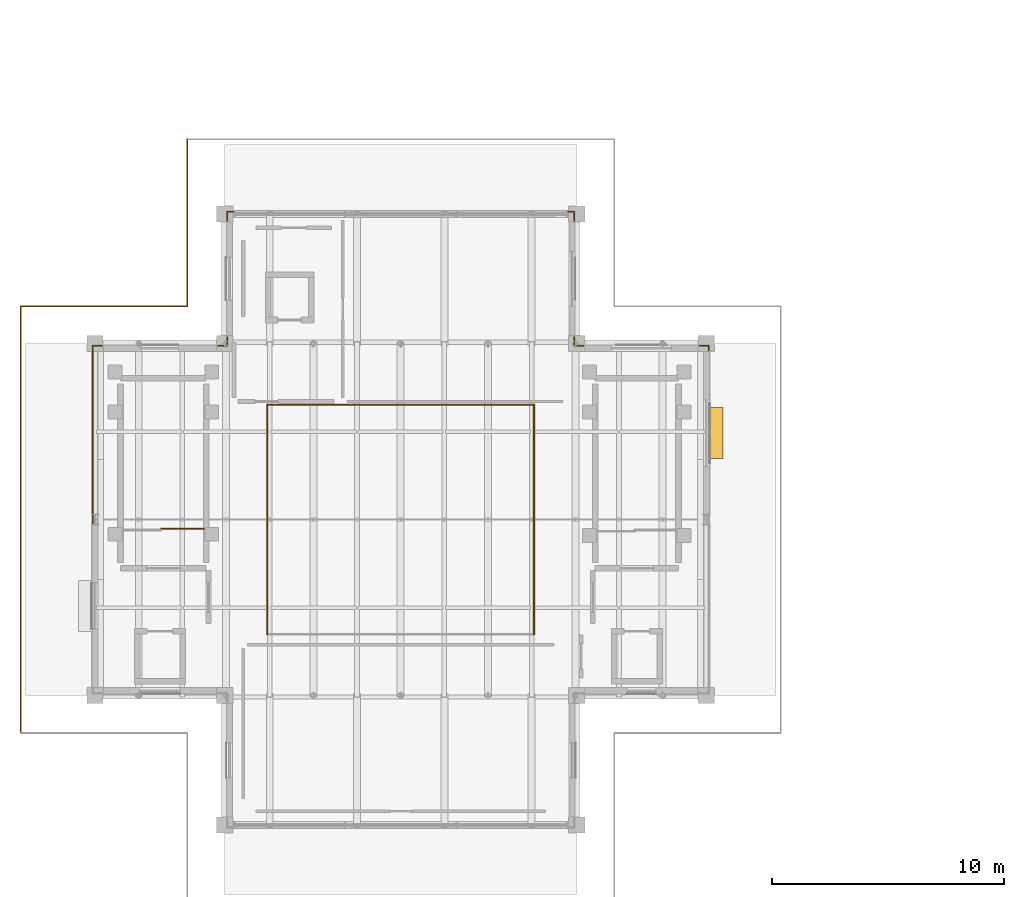
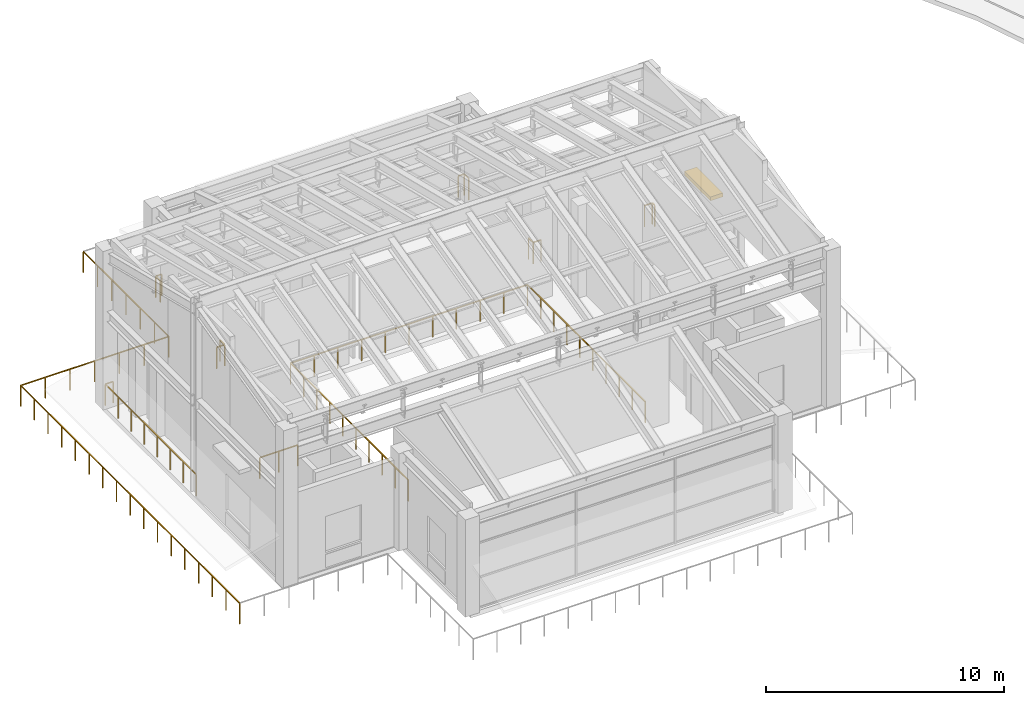
# One storey, part 10 of 11: 19 railings, 1 shading device.
"""IFC4 building model written with IfcOpenShell, lengths in metres."""

import ifcopenshell
import ifcopenshell.guid

model = None  # the IFC model being written
_history = None  # IfcOwnerHistory: only IFC2X3 demands one
_inside = {}  # id of a spatial element -> (the spatial element, [elements in it])
_under = {}  # id of a project, library or spatial element -> (it, [spatial elements below it])
_declared = {}  # id of a project -> (the project, [libraries it declares])
_typed = {}  # id of a type object -> (the type object, [elements of that type])
_made_of = {}  # id of a material, layer set ... -> (it, [elements and type objects made of it])


def new_model(schema):
    """Start an empty IFC model of exactly this schema.

    Asked for "IFC4X3", IfcOpenShell would pick the latest addendum, in which some entities
    have other attributes; the version numbers below select the first issue.
    IFC2X3 requires an IfcOwnerHistory on every rooted entity: one is made here for all.
    """
    global model, _history
    if schema == "IFC4X3":
        model = ifcopenshell.file(schema_version=(4, 3, 0, 0))
    else:
        model = ifcopenshell.file(schema=schema)
    _inside.clear()
    _under.clear()
    _declared.clear()
    _typed.clear()
    _made_of.clear()
    _history = None
    if model.schema == "IFC2X3":
        org = make("IfcOrganization", Name="unknown")
        user = make(
            "IfcPersonAndOrganization",
            ThePerson=make("IfcPerson", FamilyName="unknown"),
            TheOrganization=org,
        )
        app = make(
            "IfcApplication",
            ApplicationDeveloper=org,
            Version="unknown",
            ApplicationFullName="unknown",
            ApplicationIdentifier="unknown",
        )
        _history = make(
            "IfcOwnerHistory",
            OwningUser=user,
            OwningApplication=app,
            ChangeAction="ADDED",
            CreationDate=0,
        )
    return model


def make(cls, **values):
    """One entity of the class cls with the attributes given. An attribute that is None is left unset."""
    return model.create_entity(
        cls, **{name: value for name, value in values.items() if value is not None}
    )


def rooted(cls, **values):
    """An entity with a GlobalId (a new one), such as an element, a storey or a relation."""
    return make(cls, GlobalId=ifcopenshell.guid.new(), OwnerHistory=_history, **values)


def si_unit(unit_type, name, prefix=None):
    """IfcSIUnit, for example si_unit("LENGTHUNIT", "METRE", prefix="MILLI")."""
    return make("IfcSIUnit", UnitType=unit_type, Prefix=prefix, Name=name)


def assignment(units):
    """IfcUnitAssignment: the units of a project."""
    return None if units is None else make("IfcUnitAssignment", Units=units)


def point(xyz):
    """IfcCartesianPoint."""
    return None if xyz is None else make("IfcCartesianPoint", Coordinates=xyz)


def direction(xyz):
    """IfcDirection."""
    return None if xyz is None else make("IfcDirection", DirectionRatios=xyz)


def frame(location, z_axis=None, x_axis=None):
    """IfcAxis2Placement3D, a coordinate frame: its origin and axes. An axis left out is left unset."""
    return make(
        "IfcAxis2Placement3D",
        Location=point(location),
        Axis=direction(z_axis),
        RefDirection=direction(x_axis),
    )


def frame_2d(location, x_axis=None):
    """IfcAxis2Placement2D, a coordinate frame in the plane: its origin and x axis."""
    return make(
        "IfcAxis2Placement2D", Location=point(location), RefDirection=direction(x_axis)
    )


def origin():
    """The frame at (0, 0, 0) with its axes left unset."""
    return frame((0.0, 0.0, 0.0))


def origin_2d():
    """The frame at (0, 0) in the plane with its x axis left unset."""
    return frame_2d((0.0, 0.0))


def place(relative_to, where):
    """IfcLocalPlacement: puts the frame where relative to a parent placement (None: the world)."""
    return make(
        "IfcLocalPlacement", PlacementRelTo=relative_to, RelativePlacement=where
    )


def context(
    kind, dimensions, precision=None, world=None, true_north=None, identifier=None
):
    """IfcGeometricRepresentationContext, for example the 3D "Model" context."""
    return make(
        "IfcGeometricRepresentationContext",
        ContextIdentifier=identifier,
        ContextType=kind,
        CoordinateSpaceDimension=dimensions,
        Precision=precision,
        WorldCoordinateSystem=world,
        TrueNorth=true_north,
    )


def subcontext(parent, identifier, kind, view, scale=None):
    """IfcGeometricRepresentationSubContext, for example "Body" below "Model"."""
    return make(
        "IfcGeometricRepresentationSubContext",
        ContextIdentifier=identifier,
        ContextType=kind,
        ParentContext=parent,
        TargetScale=scale,
        TargetView=view,
    )


def project(units=None, contexts=None):
    """IfcProject with its units and contexts."""
    return rooted(
        "IfcProject",
        Name="project",
        RepresentationContexts=contexts,
        UnitsInContext=assignment(units),
    )


def spatial(cls, under=None, at=None, **own):
    """A site, building, storey or space (cls), placed at a placement, below another one or the project."""
    s = rooted(cls, ObjectPlacement=at, **own)
    if under is not None:
        _under.setdefault(under.id(), (under, []))[1].append(s)
    return s


def profile(cls, at=None, kind="AREA", **sizes):
    """A parametric profile (cls). Its sizes go by their IFC names, for example OverallWidth=200.0."""
    return make(cls, ProfileType=kind, Position=at, **sizes)


def rectangle(**sizes):
    """IfcRectangleProfileDef."""
    return profile("IfcRectangleProfileDef", **sizes)


def extrude(swept, where, along, depth):
    """IfcExtrudedAreaSolid: the profile swept, set in the frame where, extruded along a direction by depth."""
    return make(
        "IfcExtrudedAreaSolid",
        SweptArea=swept,
        Position=where,
        ExtrudedDirection=direction(along),
        Depth=depth,
    )


def shape(context_of_items, identifier, shape_type, items):
    """IfcShapeRepresentation: the items that make up one representation, for example the "Body"."""
    return make(
        "IfcShapeRepresentation",
        ContextOfItems=context_of_items,
        RepresentationIdentifier=identifier,
        RepresentationType=shape_type,
        Items=items,
    )


def material(Name=None, Category=None):
    """IfcMaterial."""
    return make("IfcMaterial", Name=Name, Category=Category)


def layer(
    of_material, thickness, ventilated=None, Name=None, Category=None, Priority=None
):
    """IfcMaterialLayer: one layer of a wall or slab, of a material (None: an air gap)."""
    return make(
        "IfcMaterialLayer",
        Material=of_material,
        LayerThickness=thickness,
        IsVentilated=ventilated,
        Name=Name,
        Category=Category,
        Priority=Priority,
    )


def layer_set(layers, Name=None):
    """IfcMaterialLayerSet."""
    return make("IfcMaterialLayerSet", MaterialLayers=layers, LayerSetName=Name)


def made_of(thing, what):
    """Note that an element or type object is made of a material, layer set ...; save() writes the relation."""
    if what is not None:
        _made_of.setdefault(what.id(), (what, []))[1].append(thing)
    return thing


def type_object(cls, material=None, **own):
    """A type object (cls), such as IfcWallType, which elements share."""
    return made_of(rooted(cls, **own), material)


def element(
    cls,
    number,
    at=None,
    inside=None,
    cuts=None,
    type_object=None,
    material=None,
    context=None,
    identifier="Body",
    shape_type=None,
    held_by="IfcProductDefinitionShape",
    body=None,
    shapes=None,
    **own,
):
    """One element of the class cls, such as IfcWall. Its Tag is "e" and its number.

    at: its placement. inside: the storey or other place that contains it. cuts: it is an
    opening in that element (IfcRelVoidsElement). A single representation is given by context,
    identifier, shape_type and body (its items); several are given by shapes. held_by: the class
    of the entity that holds the representations. save() writes the other relations.
    """
    e = rooted(cls, Tag="e%d" % number, ObjectPlacement=at, **own)
    if body is not None:
        shapes = [shape(context, identifier, shape_type, body)]
    if shapes is not None:
        e.Representation = make(held_by, Representations=shapes)
    if inside is not None:
        _inside.setdefault(inside.id(), (inside, []))[1].append(e)
    if cuts is not None:
        rooted(
            "IfcRelVoidsElement", RelatingBuildingElement=cuts, RelatedOpeningElement=e
        )
    if type_object is not None:
        _typed.setdefault(type_object.id(), (type_object, []))[1].append(e)
    return made_of(e, material)


def aggregate(whole, parts):
    """IfcRelAggregates: a whole, such as a stair, and the parts it consists of."""
    return rooted("IfcRelAggregates", RelatingObject=whole, RelatedObjects=parts)


def save(model, path):
    """Write the relations noted so far, then the file.

    IfcRelAggregates (storeys below a building ...), IfcRelContainedInSpatialStructure (elements
    in a storey), IfcRelDefinesByType, IfcRelAssociatesMaterial and IfcRelDeclares: one each for
    every whole, place, type object, material and project.
    """
    for whole, parts in _under.values():
        aggregate(whole, parts)
    for where, things in _inside.values():
        rooted(
            "IfcRelContainedInSpatialStructure",
            RelatedElements=things,
            RelatingStructure=where,
        )
    for kind, things in _typed.values():
        rooted("IfcRelDefinesByType", RelatedObjects=things, RelatingType=kind)
    for what, things in _made_of.values():
        rooted("IfcRelAssociatesMaterial", RelatedObjects=things, RelatingMaterial=what)
    for by, libraries in _declared.values():
        rooted("IfcRelDeclares", RelatingContext=by, RelatedDefinitions=libraries)
    model.write(path)


model = new_model("IFC4")

# Units and contexts
model_context = context("Model", 3, precision=1e-05, world=origin(), true_north=direction((0.0, 1.0)))
body_context = subcontext(model_context, "Body", "Model", "MODEL_VIEW")
ifc_project = project(units=[si_unit("LENGTHUNIT", "METRE"), si_unit("AREAUNIT", "SQUARE_METRE"), si_unit("VOLUMEUNIT", "CUBIC_METRE"), si_unit("PLANEANGLEUNIT", "RADIAN"), si_unit("MASSUNIT", "GRAM", prefix="KILO")], contexts=[model_context])

# Site, building, storey
site_placement = place(None, origin())
site = spatial("IfcSite", under=ifc_project, at=site_placement, CompositionType="ELEMENT")
building_placement = place(site_placement, origin())
building = spatial("IfcBuilding", under=site, at=building_placement, Name="Saryqyr Civic Hall", CompositionType="ELEMENT")
storey_placement = place(building_placement, frame((0.0, 0.0, 29.39990234375)))
storey = spatial("IfcBuildingStorey", under=building, at=storey_placement, Name="L07", CompositionType="ELEMENT", Elevation=29.39990234375)

# Railings
ifc_material_1 = material(Name="Stainless steel and laminated glass", Category="steel")
ifc_layer_1 = layer(ifc_material_1, 0.06005859375, Name="Stainless steel and laminated glass")
ifc_layer_set_1 = layer_set([ifc_layer_1], Name="Stainless steel and laminated glass")
railing_type_1 = type_object("IfcRailingType", Name="ENV-RLG-BAL-1100", PredefinedType="BALUSTRADE", material=ifc_layer_set_1)
railing_1_placement = place(storey_placement, frame((47.780029296875, 100.419921875, 0.0)))
element("IfcRailing", 1, at=railing_1_placement, inside=storey, type_object=railing_type_1, Name="Perimeter safety balustrade V1-STEPG-L07-G08", PredefinedType="BALUSTRADE", context=body_context, shape_type="SweptSolid", body=[
    extrude(rectangle(XDim=0.048095703125, YDim=0.048095703125, at=origin_2d()), frame((0.0, 0.0, 1.076171875), z_axis=(0.0, -1.0, 0.0), x_axis=(1.0, 0.0, 0.0)), (0.0, 0.0, 1.0), 7.199951171875),
    extrude(rectangle(XDim=0.0419921875, YDim=0.0419921875, at=origin_2d()), origin(), (0.0, 0.0, 1.0), 1.052001953125),
    extrude(rectangle(XDim=0.0419921875, YDim=0.0419921875, at=origin_2d()), frame((0.0, -1.199951171875, 0.0)), (0.0, 0.0, 1.0), 1.052001953125),
    extrude(rectangle(XDim=0.0419921875, YDim=0.0419921875, at=origin_2d()), frame((0.0, -2.39990234375, 0.0)), (0.0, 0.0, 1.0), 1.052001953125),
    extrude(rectangle(XDim=0.0419921875, YDim=0.0419921875, at=origin_2d()), frame((0.0, -3.60009765625, 0.0)), (0.0, 0.0, 1.0), 1.052001953125),
    extrude(rectangle(XDim=0.0419921875, YDim=0.0419921875, at=origin_2d()), frame((0.0, -4.800048828125, 0.0)), (0.0, 0.0, 1.0), 1.052001953125),
    extrude(rectangle(XDim=0.0419921875, YDim=0.0419921875, at=origin_2d()), frame((0.0, -6.0, 0.0)), (0.0, 0.0, 1.0), 1.052001953125),
    extrude(rectangle(XDim=0.0419921875, YDim=0.0419921875, at=origin_2d()), frame((0.0, -7.199951171875, 0.0)), (0.0, 0.0, 1.0), 1.052001953125),
])
railing_2_placement = place(storey_placement, frame((47.780029296875, 93.219970703125, 0.0)))
element("IfcRailing", 2, at=railing_2_placement, inside=storey, type_object=railing_type_1, Name="Perimeter safety balustrade V1-STEPG-L07-G09", PredefinedType="BALUSTRADE", context=body_context, shape_type="SweptSolid", body=[
    extrude(rectangle(XDim=0.048095703125, YDim=0.048095703125, at=origin_2d()), frame((0.0, 0.0, 1.076171875), z_axis=(-1.0, 0.0, 0.0), x_axis=(0.0, -1.0, 0.0)), (0.0, 0.0, 1.0), 7.199951171875),
    extrude(rectangle(XDim=0.0419921875, YDim=0.0419921875, at=origin_2d()), origin(), (0.0, 0.0, 1.0), 1.052001953125),
    extrude(rectangle(XDim=0.0419921875, YDim=0.0419921875, at=origin_2d()), frame((-1.199951171875, 0.0, 0.0)), (0.0, 0.0, 1.0), 1.052001953125),
    extrude(rectangle(XDim=0.0419921875, YDim=0.0419921875, at=origin_2d()), frame((-2.39990234375, 0.0, 0.0)), (0.0, 0.0, 1.0), 1.052001953125),
    extrude(rectangle(XDim=0.0419921875, YDim=0.0419921875, at=origin_2d()), frame((-3.60009765625, 0.0, 0.0)), (0.0, 0.0, 1.0), 1.052001953125),
    extrude(rectangle(XDim=0.0419921875, YDim=0.0419921875, at=origin_2d()), frame((-4.800048828125, 0.0, 0.0)), (0.0, 0.0, 1.0), 1.052001953125),
    extrude(rectangle(XDim=0.0419921875, YDim=0.0419921875, at=origin_2d()), frame((-6.0, 0.0, 0.0)), (0.0, 0.0, 1.0), 1.052001953125),
    extrude(rectangle(XDim=0.0419921875, YDim=0.0419921875, at=origin_2d()), frame((-7.199951171875, 0.0, 0.0)), (0.0, 0.0, 1.0), 1.052001953125),
])
railing_3_placement = place(storey_placement, frame((40.580078125, 93.219970703125, 0.0)))
element("IfcRailing", 3, at=railing_3_placement, inside=storey, type_object=railing_type_1, Name="Perimeter safety balustrade V1-STEPG-L07-G10", PredefinedType="BALUSTRADE", context=body_context, shape_type="SweptSolid", body=[
    extrude(rectangle(XDim=0.048095703125, YDim=0.048095703125, at=origin_2d()), frame((0.0, 0.0, 1.076171875), z_axis=(0.0, -1.0, 0.0), x_axis=(1.0, 0.0, 0.0)), (0.0, 0.0, 1.0), 18.43994140625),
    extrude(rectangle(XDim=0.0419921875, YDim=0.0419921875, at=origin_2d()), origin(), (0.0, 0.0, 1.0), 1.052001953125),
    extrude(rectangle(XDim=0.0419921875, YDim=0.0419921875, at=origin_2d()), frame((0.0, -1.152587890625, 0.0)), (0.0, 0.0, 1.0), 1.052001953125),
    extrude(rectangle(XDim=0.0419921875, YDim=0.0419921875, at=origin_2d()), frame((0.0, -2.304931640625, 0.0)), (0.0, 0.0, 1.0), 1.052001953125),
    extrude(rectangle(XDim=0.0419921875, YDim=0.0419921875, at=origin_2d()), frame((0.0, -3.45751953125, 0.0)), (0.0, 0.0, 1.0), 1.052001953125),
    extrude(rectangle(XDim=0.0419921875, YDim=0.0419921875, at=origin_2d()), frame((0.0, -4.60986328125, 0.0)), (0.0, 0.0, 1.0), 1.052001953125),
    extrude(rectangle(XDim=0.0419921875, YDim=0.0419921875, at=origin_2d()), frame((0.0, -5.762451171875, 0.0)), (0.0, 0.0, 1.0), 1.052001953125),
    extrude(rectangle(XDim=0.0419921875, YDim=0.0419921875, at=origin_2d()), frame((0.0, -6.9150390625, 0.0)), (0.0, 0.0, 1.0), 1.052001953125),
    extrude(rectangle(XDim=0.0419921875, YDim=0.0419921875, at=origin_2d()), frame((0.0, -8.0673828125, 0.0)), (0.0, 0.0, 1.0), 1.052001953125),
    extrude(rectangle(XDim=0.0419921875, YDim=0.0419921875, at=origin_2d()), frame((0.0, -9.219970703125, 0.0)), (0.0, 0.0, 1.0), 1.052001953125),
    extrude(rectangle(XDim=0.0419921875, YDim=0.0419921875, at=origin_2d()), frame((0.0, -10.37255859375, 0.0)), (0.0, 0.0, 1.0), 1.052001953125),
    extrude(rectangle(XDim=0.0419921875, YDim=0.0419921875, at=origin_2d()), frame((0.0, -11.52490234375, 0.0)), (0.0, 0.0, 1.0), 1.052001953125),
    extrude(rectangle(XDim=0.0419921875, YDim=0.0419921875, at=origin_2d()), frame((0.0, -12.677490234375, 0.0)), (0.0, 0.0, 1.0), 1.052001953125),
    extrude(rectangle(XDim=0.0419921875, YDim=0.0419921875, at=origin_2d()), frame((0.0, -13.830078125, 0.0)), (0.0, 0.0, 1.0), 1.052001953125),
    extrude(rectangle(XDim=0.0419921875, YDim=0.0419921875, at=origin_2d()), frame((0.0, -14.982421875, 0.0)), (0.0, 0.0, 1.0), 1.052001953125),
    extrude(rectangle(XDim=0.0419921875, YDim=0.0419921875, at=origin_2d()), frame((0.0, -16.135009765625, 0.0)), (0.0, 0.0, 1.0), 1.052001953125),
    extrude(rectangle(XDim=0.0419921875, YDim=0.0419921875, at=origin_2d()), frame((0.0, -17.287353515625, 0.0)), (0.0, 0.0, 1.0), 1.052001953125),
    extrude(rectangle(XDim=0.0419921875, YDim=0.0419921875, at=origin_2d()), frame((0.0, -18.43994140625, 0.0)), (0.0, 0.0, 1.0), 1.052001953125),
])

# Shading device
ifc_material_2 = material(Name="Warm brushed brass-anodised aluminium", Category="aluminium")
shading_device_type = type_object("IfcShadingDeviceType", Name="ENV-SHD-LOUVRE", PredefinedType="JALOUSIE", material=ifc_material_2)
shading_device_placement = place(storey_placement, frame((70.614990234375, 87.73291015625, 4.14501953125), z_axis=(0.0, 0.0, 1.0), x_axis=(0.0, -1.0, 0.0)))
element("IfcShadingDevice", 4, at=shading_device_placement, inside=storey, type_object=shading_device_type, Name="Warm brass exterior louvre hood L07-08", PredefinedType="JALOUSIE", context=body_context, shape_type="SweptSolid", body=[
    extrude(rectangle(XDim=2.199951171875, YDim=0.60009765625, at=origin_2d()), origin(), (0.0, 0.0, 1.0), 0.199951171875),
])

# Railings
ifc_material_3 = material(Name="Warm brushed brass and laminated glass", Category="glass")
ifc_layer_2 = layer(ifc_material_3, 0.06005859375, Name="Warm brushed brass and laminated glass")
ifc_layer_set_2 = layer_set([ifc_layer_2], Name="Warm brushed brass and laminated glass")
railing_type_2 = type_object("IfcRailingType", Name="INT-RLG-BAL-1100", PredefinedType="BALUSTRADE", material=ifc_layer_set_2)
railing_4_placement = place(storey_placement, frame((48.5, 83.60009765625, 0.0)))
element("IfcRailing", 5, at=railing_4_placement, inside=storey, type_object=railing_type_2, Name="L07 ST-1 top well guard 1", PredefinedType="BALUSTRADE", context=body_context, shape_type="SweptSolid", body=[
    extrude(rectangle(XDim=0.048095703125, YDim=0.048095703125, at=origin_2d()), frame((0.0, 0.0, 1.076171875), z_axis=(-1.0, 0.0, 0.0), x_axis=(0.0, -1.0, 0.0)), (0.0, 0.0, 1.0), 1.85009765625),
    extrude(rectangle(XDim=0.0419921875, YDim=0.0419921875, at=origin_2d()), origin(), (0.0, 0.0, 1.0), 1.052001953125),
    extrude(rectangle(XDim=0.0419921875, YDim=0.0419921875, at=origin_2d()), frame((-0.925048828125, 0.0, 0.0)), (0.0, 0.0, 1.0), 1.052001953125),
    extrude(rectangle(XDim=0.0419921875, YDim=0.0419921875, at=origin_2d()), frame((-1.85009765625, 0.0, 0.0)), (0.0, 0.0, 1.0), 1.052001953125),
])
railing_5_placement = place(storey_placement, frame((62.760009765625, 79.0400390625, 0.0)))
element("IfcRailing", 6, at=railing_5_placement, inside=storey, type_object=railing_type_2, Name="Atrium gallery balustrade V1-GALL-VOID-L07-G2", PredefinedType="BALUSTRADE", context=body_context, shape_type="SweptSolid", body=[
    extrude(rectangle(XDim=0.048095703125, YDim=0.048095703125, at=origin_2d()), frame((0.0, 0.0, 1.076171875), z_axis=(0.0, 1.0, 0.0), x_axis=(-1.0, 0.0, 0.0)), (0.0, 0.0, 1.0), 9.919921875),
    extrude(rectangle(XDim=0.0419921875, YDim=0.0419921875, at=origin_2d()), origin(), (0.0, 0.0, 1.0), 1.052001953125),
    extrude(rectangle(XDim=0.0419921875, YDim=0.0419921875, at=origin_2d()), frame((0.0, 1.102294921875, 0.0)), (0.0, 0.0, 1.0), 1.052001953125),
    extrude(rectangle(XDim=0.0419921875, YDim=0.0419921875, at=origin_2d()), frame((0.0, 2.204345703125, 0.0)), (0.0, 0.0, 1.0), 1.052001953125),
    extrude(rectangle(XDim=0.0419921875, YDim=0.0419921875, at=origin_2d()), frame((0.0, 3.306640625, 0.0)), (0.0, 0.0, 1.0), 1.052001953125),
    extrude(rectangle(XDim=0.0419921875, YDim=0.0419921875, at=origin_2d()), frame((0.0, 4.408935546875, 0.0)), (0.0, 0.0, 1.0), 1.052001953125),
    extrude(rectangle(XDim=0.0419921875, YDim=0.0419921875, at=origin_2d()), frame((0.0, 5.510986328125, 0.0)), (0.0, 0.0, 1.0), 1.052001953125),
    extrude(rectangle(XDim=0.0419921875, YDim=0.0419921875, at=origin_2d()), frame((0.0, 6.61328125, 0.0)), (0.0, 0.0, 1.0), 1.052001953125),
    extrude(rectangle(XDim=0.0419921875, YDim=0.0419921875, at=origin_2d()), frame((0.0, 7.715576171875, 0.0)), (0.0, 0.0, 1.0), 1.052001953125),
    extrude(rectangle(XDim=0.0419921875, YDim=0.0419921875, at=origin_2d()), frame((0.0, 8.817626953125, 0.0)), (0.0, 0.0, 1.0), 1.052001953125),
    extrude(rectangle(XDim=0.0419921875, YDim=0.0419921875, at=origin_2d()), frame((0.0, 9.919921875, 0.0)), (0.0, 0.0, 1.0), 1.052001953125),
])
railing_6_placement = place(storey_placement, frame((62.760009765625, 88.9599609375, 0.0)))
element("IfcRailing", 7, at=railing_6_placement, inside=storey, type_object=railing_type_2, Name="Atrium gallery balustrade V1-GALL-VOID-L07-G3", PredefinedType="BALUSTRADE", context=body_context, shape_type="SweptSolid", body=[
    extrude(rectangle(XDim=0.048095703125, YDim=0.048095703125, at=origin_2d()), frame((0.0, 0.0, 1.076171875), z_axis=(-1.0, 0.0, 0.0), x_axis=(0.0, -1.0, 0.0)), (0.0, 0.0, 1.0), 11.52001953125),
    extrude(rectangle(XDim=0.0419921875, YDim=0.0419921875, at=origin_2d()), origin(), (0.0, 0.0, 1.0), 1.052001953125),
    extrude(rectangle(XDim=0.0419921875, YDim=0.0419921875, at=origin_2d()), frame((-1.152099609375, 0.0, 0.0)), (0.0, 0.0, 1.0), 1.052001953125),
    extrude(rectangle(XDim=0.0419921875, YDim=0.0419921875, at=origin_2d()), frame((-2.303955078125, 0.0, 0.0)), (0.0, 0.0, 1.0), 1.052001953125),
    extrude(rectangle(XDim=0.0419921875, YDim=0.0419921875, at=origin_2d()), frame((-3.4560546875, 0.0, 0.0)), (0.0, 0.0, 1.0), 1.052001953125),
    extrude(rectangle(XDim=0.0419921875, YDim=0.0419921875, at=origin_2d()), frame((-4.60791015625, 0.0, 0.0)), (0.0, 0.0, 1.0), 1.052001953125),
    extrude(rectangle(XDim=0.0419921875, YDim=0.0419921875, at=origin_2d()), frame((-5.760009765625, 0.0, 0.0)), (0.0, 0.0, 1.0), 1.052001953125),
    extrude(rectangle(XDim=0.0419921875, YDim=0.0419921875, at=origin_2d()), frame((-6.912109375, 0.0, 0.0)), (0.0, 0.0, 1.0), 1.052001953125),
    extrude(rectangle(XDim=0.0419921875, YDim=0.0419921875, at=origin_2d()), frame((-8.06396484375, 0.0, 0.0)), (0.0, 0.0, 1.0), 1.052001953125),
    extrude(rectangle(XDim=0.0419921875, YDim=0.0419921875, at=origin_2d()), frame((-9.216064453125, 0.0, 0.0)), (0.0, 0.0, 1.0), 1.052001953125),
    extrude(rectangle(XDim=0.0419921875, YDim=0.0419921875, at=origin_2d()), frame((-10.367919921875, 0.0, 0.0)), (0.0, 0.0, 1.0), 1.052001953125),
    extrude(rectangle(XDim=0.0419921875, YDim=0.0419921875, at=origin_2d()), frame((-11.52001953125, 0.0, 0.0)), (0.0, 0.0, 1.0), 1.052001953125),
])
railing_7_placement = place(storey_placement, frame((51.239990234375, 88.9599609375, 0.0)))
element("IfcRailing", 8, at=railing_7_placement, inside=storey, type_object=railing_type_2, Name="Atrium gallery balustrade V1-GALL-VOID-L07-G4", PredefinedType="BALUSTRADE", context=body_context, shape_type="SweptSolid", body=[
    extrude(rectangle(XDim=0.048095703125, YDim=0.048095703125, at=origin_2d()), frame((0.0, 0.0, 1.076171875), z_axis=(0.0, -1.0, 0.0), x_axis=(1.0, 0.0, 0.0)), (0.0, 0.0, 1.0), 9.919921875),
    extrude(rectangle(XDim=0.0419921875, YDim=0.0419921875, at=origin_2d()), origin(), (0.0, 0.0, 1.0), 1.052001953125),
    extrude(rectangle(XDim=0.0419921875, YDim=0.0419921875, at=origin_2d()), frame((0.0, -1.102294921875, 0.0)), (0.0, 0.0, 1.0), 1.052001953125),
    extrude(rectangle(XDim=0.0419921875, YDim=0.0419921875, at=origin_2d()), frame((0.0, -2.204345703125, 0.0)), (0.0, 0.0, 1.0), 1.052001953125),
    extrude(rectangle(XDim=0.0419921875, YDim=0.0419921875, at=origin_2d()), frame((0.0, -3.306640625, 0.0)), (0.0, 0.0, 1.0), 1.052001953125),
    extrude(rectangle(XDim=0.0419921875, YDim=0.0419921875, at=origin_2d()), frame((0.0, -4.408935546875, 0.0)), (0.0, 0.0, 1.0), 1.052001953125),
    extrude(rectangle(XDim=0.0419921875, YDim=0.0419921875, at=origin_2d()), frame((0.0, -5.510986328125, 0.0)), (0.0, 0.0, 1.0), 1.052001953125),
    extrude(rectangle(XDim=0.0419921875, YDim=0.0419921875, at=origin_2d()), frame((0.0, -6.61328125, 0.0)), (0.0, 0.0, 1.0), 1.052001953125),
    extrude(rectangle(XDim=0.0419921875, YDim=0.0419921875, at=origin_2d()), frame((0.0, -7.715576171875, 0.0)), (0.0, 0.0, 1.0), 1.052001953125),
    extrude(rectangle(XDim=0.0419921875, YDim=0.0419921875, at=origin_2d()), frame((0.0, -8.817626953125, 0.0)), (0.0, 0.0, 1.0), 1.052001953125),
    extrude(rectangle(XDim=0.0419921875, YDim=0.0419921875, at=origin_2d()), frame((0.0, -9.919921875, 0.0)), (0.0, 0.0, 1.0), 1.052001953125),
])
railing_8_placement = place(storey_placement, frame((70.300048828125, 91.5, 0.0)))
element("IfcRailing", 9, at=railing_8_placement, inside=storey, type_object=railing_type_2, Name="Interior deck safety balustrade L07-001", PredefinedType="BALUSTRADE", context=body_context, shape_type="SweptSolid", body=[
    extrude(rectangle(XDim=0.048095703125, YDim=0.048095703125, at=origin_2d()), frame((0.0, 0.0, 1.09619140625), z_axis=(0.0, -1.0, 0.0), x_axis=(1.0, 0.0, 0.0)), (0.0, 0.0, 1.0), 0.18505859375),
    extrude(rectangle(XDim=0.0419921875, YDim=0.0419921875, at=origin_2d()), origin(), (0.0, 0.0, 1.0), 1.072021484375),
    extrude(rectangle(XDim=0.0419921875, YDim=0.0419921875, at=origin_2d()), frame((0.0, -0.18505859375, 0.0)), (0.0, 0.0, 1.0), 1.072021484375),
])
railing_9_placement = place(storey_placement, frame((43.699951171875, 83.85009765625, 0.0)))
element("IfcRailing", 10, at=railing_9_placement, inside=storey, type_object=railing_type_2, Name="Interior deck safety balustrade L07-014", PredefinedType="BALUSTRADE", context=body_context, shape_type="SweptSolid", body=[
    extrude(rectangle(XDim=0.048095703125, YDim=0.048095703125, at=origin_2d()), frame((0.0, 0.0, 1.09619140625), z_axis=(0.0, 1.0, 0.0), x_axis=(-1.0, 0.0, 0.0)), (0.0, 0.0, 1.0), 7.64990234375),
    extrude(rectangle(XDim=0.0419921875, YDim=0.0419921875, at=origin_2d()), origin(), (0.0, 0.0, 1.0), 1.072021484375),
    extrude(rectangle(XDim=0.0419921875, YDim=0.0419921875, at=origin_2d()), frame((0.0, 1.0927734375, 0.0)), (0.0, 0.0, 1.0), 1.072021484375),
    extrude(rectangle(XDim=0.0419921875, YDim=0.0419921875, at=origin_2d()), frame((0.0, 2.185791015625, 0.0)), (0.0, 0.0, 1.0), 1.072021484375),
    extrude(rectangle(XDim=0.0419921875, YDim=0.0419921875, at=origin_2d()), frame((0.0, 3.278564453125, 0.0)), (0.0, 0.0, 1.0), 1.072021484375),
    extrude(rectangle(XDim=0.0419921875, YDim=0.0419921875, at=origin_2d()), frame((0.0, 4.371337890625, 0.0)), (0.0, 0.0, 1.0), 1.072021484375),
    extrude(rectangle(XDim=0.0419921875, YDim=0.0419921875, at=origin_2d()), frame((0.0, 5.464111328125, 0.0)), (0.0, 0.0, 1.0), 1.072021484375),
    extrude(rectangle(XDim=0.0419921875, YDim=0.0419921875, at=origin_2d()), frame((0.0, 6.55712890625, 0.0)), (0.0, 0.0, 1.0), 1.072021484375),
    extrude(rectangle(XDim=0.0419921875, YDim=0.0419921875, at=origin_2d()), frame((0.0, 7.64990234375, 0.0)), (0.0, 0.0, 1.0), 1.072021484375),
])
for number, where, name in (
    (11, (43.699951171875, 91.5, 0.0), "Interior deck safety balustrade L07-015"),
    (12, (49.114990234375, 91.5, 0.0), "Interior deck safety balustrade L07-016"),
):
    element("IfcRailing", number, at=place(storey_placement, frame(where)), inside=storey, type_object=railing_type_2, Name=name, PredefinedType="BALUSTRADE", context=body_context, shape_type="SweptSolid", body=[
        extrude(rectangle(XDim=0.048095703125, YDim=0.048095703125, at=origin_2d()), frame((0.0, 0.0, 1.09619140625), z_axis=(1.0, 0.0, 0.0), x_axis=(0.0, 1.0, 0.0)), (0.0, 0.0, 1.0), 0.385009765625),
        extrude(rectangle(XDim=0.0419921875, YDim=0.0419921875, at=origin_2d()), origin(), (0.0, 0.0, 1.0), 1.072021484375),
        extrude(rectangle(XDim=0.0419921875, YDim=0.0419921875, at=origin_2d()), frame((0.385009765625, 0.0, 0.0)), (0.0, 0.0, 1.0), 1.072021484375),
    ])
for number, where, name in (
    (13, (49.5, 91.5, 0.0), "Interior deck safety balustrade L07-017"),
    (14, (49.5, 96.9150390625, 0.0), "Interior deck safety balustrade L07-018"),
):
    element("IfcRailing", number, at=place(storey_placement, frame(where)), inside=storey, type_object=railing_type_2, Name=name, PredefinedType="BALUSTRADE", context=body_context, shape_type="SweptSolid", body=[
        extrude(rectangle(XDim=0.048095703125, YDim=0.048095703125, at=origin_2d()), frame((0.0, 0.0, 1.09619140625), z_axis=(0.0, 1.0, 0.0), x_axis=(-1.0, 0.0, 0.0)), (0.0, 0.0, 1.0), 0.385009765625),
        extrude(rectangle(XDim=0.0419921875, YDim=0.0419921875, at=origin_2d()), origin(), (0.0, 0.0, 1.0), 1.072021484375),
        extrude(rectangle(XDim=0.0419921875, YDim=0.0419921875, at=origin_2d()), frame((0.0, 0.385009765625, 0.0)), (0.0, 0.0, 1.0), 1.072021484375),
    ])
for number, where, name in (
    (15, (49.5, 97.300048828125, 0.0), "Interior deck safety balustrade L07-019"),
    (16, (64.2099609375, 97.300048828125, 0.0), "Interior deck safety balustrade L07-020"),
):
    element("IfcRailing", number, at=place(storey_placement, frame(where)), inside=storey, type_object=railing_type_2, Name=name, PredefinedType="BALUSTRADE", context=body_context, shape_type="SweptSolid", body=[
        extrude(rectangle(XDim=0.048095703125, YDim=0.048095703125, at=origin_2d()), frame((0.0, 0.0, 1.09619140625), z_axis=(1.0, 0.0, 0.0), x_axis=(0.0, 1.0, 0.0)), (0.0, 0.0, 1.0), 0.2900390625),
        extrude(rectangle(XDim=0.0419921875, YDim=0.0419921875, at=origin_2d()), origin(), (0.0, 0.0, 1.0), 1.072021484375),
        extrude(rectangle(XDim=0.0419921875, YDim=0.0419921875, at=origin_2d()), frame((0.2900390625, 0.0, 0.0)), (0.0, 0.0, 1.0), 1.072021484375),
    ])
for number, where, name in (
    (17, (64.5, 97.300048828125, 0.0), "Interior deck safety balustrade L07-021"),
    (18, (64.5, 91.885009765625, 0.0), "Interior deck safety balustrade L07-022"),
):
    element("IfcRailing", number, at=place(storey_placement, frame(where)), inside=storey, type_object=railing_type_2, Name=name, PredefinedType="BALUSTRADE", context=body_context, shape_type="SweptSolid", body=[
        extrude(rectangle(XDim=0.048095703125, YDim=0.048095703125, at=origin_2d()), frame((0.0, 0.0, 1.09619140625), z_axis=(0.0, -1.0, 0.0), x_axis=(1.0, 0.0, 0.0)), (0.0, 0.0, 1.0), 0.385009765625),
        extrude(rectangle(XDim=0.0419921875, YDim=0.0419921875, at=origin_2d()), origin(), (0.0, 0.0, 1.0), 1.072021484375),
        extrude(rectangle(XDim=0.0419921875, YDim=0.0419921875, at=origin_2d()), frame((0.0, -0.385009765625, 0.0)), (0.0, 0.0, 1.0), 1.072021484375),
    ])
for number, where, name in (
    (19, (64.5, 91.5, 0.0), "Interior deck safety balustrade L07-023"),
    (20, (69.9150390625, 91.5, 0.0), "Interior deck safety balustrade L07-024"),
):
    element("IfcRailing", number, at=place(storey_placement, frame(where)), inside=storey, type_object=railing_type_2, Name=name, PredefinedType="BALUSTRADE", context=body_context, shape_type="SweptSolid", body=[
        extrude(rectangle(XDim=0.048095703125, YDim=0.048095703125, at=origin_2d()), frame((0.0, 0.0, 1.09619140625), z_axis=(1.0, 0.0, 0.0), x_axis=(0.0, 1.0, 0.0)), (0.0, 0.0, 1.0), 0.385009765625),
        extrude(rectangle(XDim=0.0419921875, YDim=0.0419921875, at=origin_2d()), origin(), (0.0, 0.0, 1.0), 1.072021484375),
        extrude(rectangle(XDim=0.0419921875, YDim=0.0419921875, at=origin_2d()), frame((0.385009765625, 0.0, 0.0)), (0.0, 0.0, 1.0), 1.072021484375),
    ])

save(model, "model.ifc")
